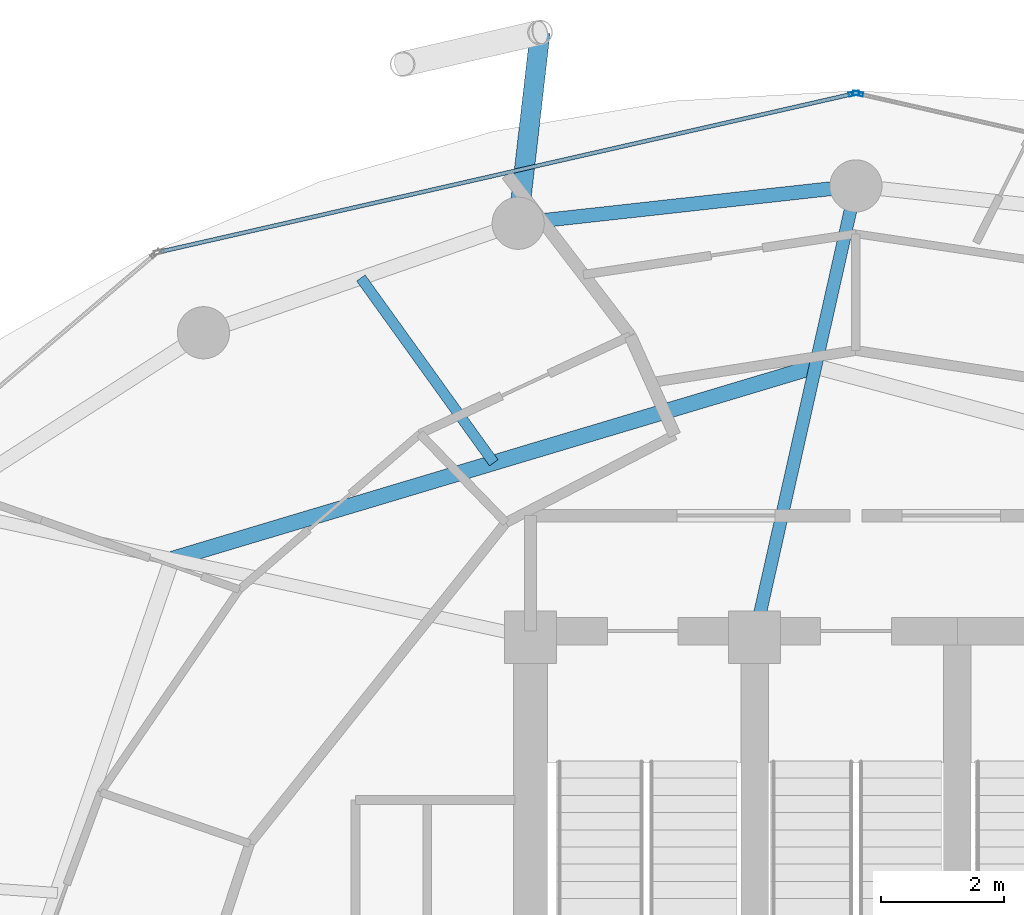
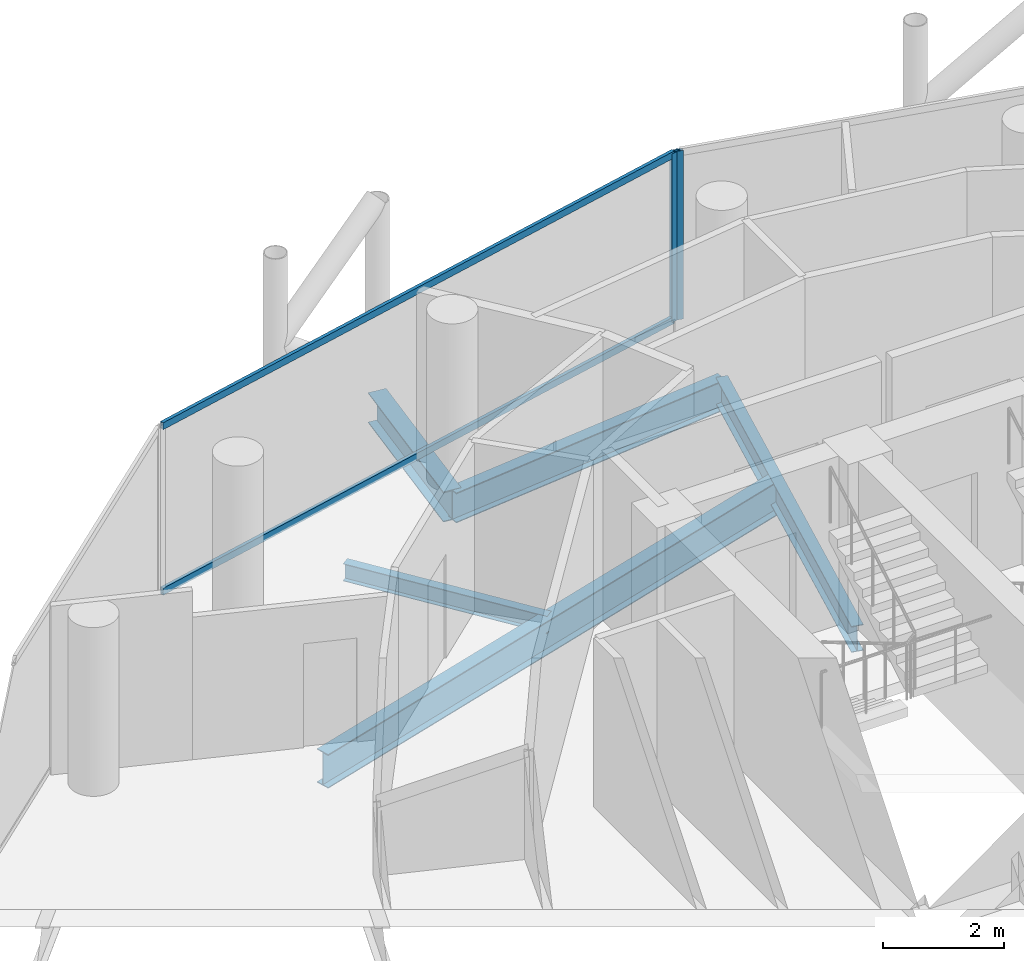
# One storey, part 19 of 27: 5 beams, 4 members, 2 elements without a shape of their own.
"""IFC4 building model written with IfcOpenShell, lengths in metres."""

from ifc_helpers import new_model, si_unit, direction, frame, origin, origin_2d, place, context, subcontext, project, spatial, hollow_rectangle, i_section, extrude, material, layer, layer_set, material_profile, profile_set, type_object, element, aggregate, save


model = new_model("IFC4")

# Units and contexts
model_context = context("Model", 3, precision=1e-05, world=origin(), true_north=direction((0.0, 1.0)))
body_context = subcontext(model_context, "Body", "Model", "MODEL_VIEW")
ifc_project = project(units=[si_unit("LENGTHUNIT", "METRE"), si_unit("AREAUNIT", "SQUARE_METRE"), si_unit("VOLUMEUNIT", "CUBIC_METRE"), si_unit("PLANEANGLEUNIT", "RADIAN"), si_unit("MASSUNIT", "GRAM", prefix="KILO")], contexts=[model_context])

# Site, building, storey
site_placement = place(None, origin())
site = spatial("IfcSite", under=ifc_project, at=site_placement, CompositionType="ELEMENT")
building_placement = place(site_placement, origin())
building = spatial("IfcBuilding", under=site, at=building_placement, Name="Nuhasar Tower", CompositionType="ELEMENT")
storey_placement = place(building_placement, frame((0.0, 0.0, 215.449951171875)))
storey = spatial("IfcBuildingStorey", under=building, at=storey_placement, Name="L52", CompositionType="ELEMENT", Elevation=215.449951171875)

# Beams
ifc_material_1 = material(Name="Steel S355", Category="steel")
ifc_material_profile_1 = material_profile(ifc_material_1, i_section(OverallWidth=0.25390625, OverallDepth=0.68408203125, WebThickness=0.012451171875, FlangeThickness=0.018798828125, at=origin_2d()), Name="W27X94")
ifc_profile_set_1 = profile_set([ifc_material_profile_1], Name="Steel S355")
beam_type_1 = type_object("IfcBeamType", Name="BM-INRING-W27X94", PredefinedType="BEAM", material=ifc_profile_set_1)
beam_1_placement = place(storey_placement, frame((38.340087890625, 41.7099609375, -0.58203125), z_axis=(-0.957973628187, -0.28685628405, 0.0), x_axis=(0.28685628405, -0.957973628187, 0.0)))
element("IfcBeam", 1, at=beam_1_placement, inside=storey, type_object=beam_type_1, Name="L52 Inner Header Beam 06", PredefinedType="BEAM", context=body_context, shape_type="SweptSolid", body=[
    extrude(i_section(OverallWidth=0.25390625, OverallDepth=0.68408203125, WebThickness=0.012451171875, FlangeThickness=0.018798828125, at=origin_2d()), origin(), (0.0, 0.0, 1.0), 10.935546875),
])
ifc_material_profile_2 = material_profile(ifc_material_1, i_section(OverallWidth=0.1708984375, OverallDepth=0.35205078125, WebThickness=0.0068359375, FlangeThickness=0.009765625, at=origin_2d()), Name="W14X30")
ifc_profile_set_2 = profile_set([ifc_material_profile_2], Name="Steel S355")
beam_type_2 = type_object("IfcBeamType", Name="BM-JST-W14X30", PredefinedType="JOIST", material=ifc_profile_set_2)
beam_2_placement = place(storey_placement, frame((33.10205078125, 40.14208984375, -0.416015625), z_axis=(-0.58390205555, 0.811824112431, 0.0), x_axis=(-0.811824112431, -0.58390205555, 0.0)))
element("IfcBeam", 2, at=beam_2_placement, inside=storey, type_object=beam_type_2, Name="L52 Secondary Floor Joist 06", PredefinedType="JOIST", context=body_context, shape_type="SweptSolid", body=[
    extrude(i_section(OverallWidth=0.1708984375, OverallDepth=0.35205078125, WebThickness=0.0068359375, FlangeThickness=0.009765625, at=origin_2d()), origin(), (0.0, 0.0, 1.0), 3.706298828125),
])
ifc_material_profile_3 = material_profile(ifc_material_1, i_section(OverallWidth=0.208984375, OverallDepth=0.528076171875, WebThickness=0.009521484375, FlangeThickness=0.01318359375, at=origin_2d()), Name="W21X55")
ifc_profile_set_3 = profile_set([ifc_material_profile_3], Name="Steel S355")
beam_type_3 = type_object("IfcBeamType", Name="BM-RAD-W21X55", PredefinedType="BEAM", material=ifc_profile_set_3)
beam_3_placement = place(storey_placement, frame((37.35009765625, 37.300048828125, -0.50390625), z_axis=(0.219030156142, 0.975718089768, 0.0), x_axis=(-0.975718089768, 0.219030156142, 0.0)))
element("IfcBeam", 3, at=beam_3_placement, inside=storey, type_object=beam_type_3, Name="L52 Radial Floor Girder 06", PredefinedType="BEAM", context=body_context, shape_type="SweptSolid", body=[
    extrude(i_section(OverallWidth=0.208984375, OverallDepth=0.528076171875, WebThickness=0.009521484375, FlangeThickness=0.01318359375, at=origin_2d()), origin(), (0.0, 0.0, 1.0), 7.53271484375),
])
ifc_material_profile_4 = material_profile(ifc_material_1, i_section(OverallWidth=0.22802734375, OverallDepth=0.60791015625, WebThickness=0.01123046875, FlangeThickness=0.017333984375, at=origin_2d()), Name="W24X76")
ifc_profile_set_4 = profile_set([ifc_material_profile_4], Name="Steel S355")
beam_type_4 = type_object("IfcBeamType", Name="BM-RING-W24X76", PredefinedType="SPANDREL", material=ifc_profile_set_4)
beam_4_placement = place(storey_placement, frame((39.0, 44.64990234375, -0.5439453125), z_axis=(-0.993947060915, -0.109860093292, 0.0), x_axis=(0.109860093292, -0.993947060915, 0.0)))
element("IfcBeam", 4, at=beam_4_placement, inside=storey, type_object=beam_type_4, Name="L52 Perimeter Ring Spandrel 07", PredefinedType="SPANDREL", context=body_context, shape_type="SweptSolid", body=[
    extrude(i_section(OverallWidth=0.22802734375, OverallDepth=0.60791015625, WebThickness=0.01123046875, FlangeThickness=0.017333984375, at=origin_2d()), origin(), (0.0, 0.0, 1.0), 5.533447265625),
])
ifc_material_profile_5 = material_profile(ifc_material_1, i_section(OverallWidth=0.323974609375, OverallDepth=0.611083984375, WebThickness=0.0126953125, FlangeThickness=0.01904296875, at=origin_2d()), Name="W24X104")
ifc_profile_set_5 = profile_set([ifc_material_profile_5], Name="Steel S355")
beam_type_5 = type_object("IfcBeamType", Name="BM-TIE-W24X104", PredefinedType="BEAM", material=ifc_profile_set_5)
beam_5_placement = place(storey_placement, frame((33.5, 44.0419921875, -0.544921875), z_axis=(0.114132222314, 0.993465568517, 0.0), x_axis=(-0.993465568517, 0.114132222314, 0.0)))
element("IfcBeam", 5, at=beam_5_placement, inside=storey, type_object=beam_type_5, Name="L52 Exoskeleton Node Tie Beam 04", PredefinedType="BEAM", context=body_context, shape_type="SweptSolid", body=[
    extrude(i_section(OverallWidth=0.323974609375, OverallDepth=0.611083984375, WebThickness=0.0126953125, FlangeThickness=0.01904296875, at=origin_2d()), origin(), (0.0, 0.0, 1.0), 3.12744140625),
])

# Curtain wall, member
ifc_material_2 = material(Name="Aluminium 6063-T6", Category="aluminium")
ifc_layer = layer(ifc_material_2, 0.18994140625)
ifc_layer_set = layer_set([ifc_layer], Name="Aluminium 6063-T6")
curtain_wall_type = type_object("IfcCurtainWallType", Name="CW-Z3-RES", PredefinedType="NOTDEFINED", material=ifc_layer_set)
curtain_wall_1_placement = place(storey_placement, origin())
curtain_wall_1 = element("IfcCurtainWall", 6, at=curtain_wall_1_placement, inside=storey, type_object=curtain_wall_type, Name="L52 Unitised Curtain Wall 03", PredefinedType="NOTDEFINED")
ifc_material_profile_6 = material_profile(ifc_material_2, hollow_rectangle(XDim=0.06494140625, YDim=0.169921875, WallThickness=0.0048828125, at=origin_2d()), Name="CWM-4")
ifc_profile_set_6 = profile_set([ifc_material_profile_6], Name="Aluminium 6063-T6")
member_type_1 = type_object("IfcMemberType", Name="CW-MUL-S4", PredefinedType="MULLION", material=ifc_profile_set_6)
member_1_placement = place(storey_placement, frame((39.03173828125, 46.15283203125, 0.0), z_axis=(0.0, 0.0, 1.0), x_axis=(-0.222243176313, -0.974991266926, 0.0)))
member_1 = element("IfcMember", 7, at=member_1_placement, type_object=member_type_1, Name="CW-Z3 mullion 2", PredefinedType="MULLION", context=body_context, shape_type="SweptSolid", body=[
    extrude(hollow_rectangle(XDim=0.06494140625, YDim=0.169921875, WallThickness=0.0048828125, at=origin_2d()), origin(), (0.0, 0.0, 1.0), 3.41015625),
])
aggregate(curtain_wall_1, [member_1])

# Curtain wall, members
curtain_wall_2_placement = place(storey_placement, origin())
curtain_wall_2 = element("IfcCurtainWall", 8, at=curtain_wall_2_placement, inside=storey, type_object=curtain_wall_type, Name="L52 Unitised Curtain Wall 04", PredefinedType="NOTDEFINED")
member_2_placement = place(storey_placement, frame((38.96826171875, 46.15283203125, 0.0), z_axis=(0.0, 0.0, 1.0), x_axis=(0.222243176313, -0.974991266926, 0.0)))
member_2 = element("IfcMember", 9, at=member_2_placement, type_object=member_type_1, Name="CW-Z3 mullion 1", PredefinedType="MULLION", context=body_context, shape_type="SweptSolid", body=[
    extrude(hollow_rectangle(XDim=0.06494140625, YDim=0.169921875, WallThickness=0.0048828125, at=origin_2d()), origin(), (0.0, 0.0, 1.0), 3.41015625),
])
ifc_material_profile_7 = material_profile(ifc_material_2, hollow_rectangle(XDim=0.06494140625, YDim=0.139892578125, WallThickness=0.00439453125, at=origin_2d()), Name="CWT-4")
ifc_profile_set_7 = profile_set([ifc_material_profile_7], Name="Aluminium 6063-T6")
member_type_2 = type_object("IfcMemberType", Name="CW-TRN-S4", PredefinedType="USERDEFINED", material=ifc_profile_set_7)
member_3_placement = place(storey_placement, frame((38.9365234375, 46.1455078125, 0.032470703125), z_axis=(-0.974994070913, -0.222230874732, 0.0), x_axis=(0.222230874732, -0.974994070913, 0.0)))
member_3 = element("IfcMember", 10, at=member_3_placement, type_object=member_type_2, Name="CW-Z3 transom 1.1", ObjectType="TRANSOM", PredefinedType="USERDEFINED", context=body_context, shape_type="SweptSolid", body=[
    extrude(hollow_rectangle(XDim=0.06494140625, YDim=0.139892578125, WallThickness=0.00439453125, at=origin_2d()), origin(), (0.0, 0.0, 1.0), 11.541748046875),
])
member_4_placement = place(storey_placement, frame((38.9365234375, 46.1455078125, 3.37744140625), z_axis=(-0.974994070913, -0.222230874732, 0.0), x_axis=(0.222230874732, -0.974994070913, 0.0)))
member_4 = element("IfcMember", 11, at=member_4_placement, type_object=member_type_2, Name="CW-Z3 transom 1.2", ObjectType="TRANSOM", PredefinedType="USERDEFINED", context=body_context, shape_type="SweptSolid", body=[
    extrude(hollow_rectangle(XDim=0.06494140625, YDim=0.139892578125, WallThickness=0.00439453125, at=origin_2d()), origin(), (0.0, 0.0, 1.0), 11.541748046875),
])
aggregate(curtain_wall_2, [member_2, member_3, member_4])

save(model, "model.ifc")
